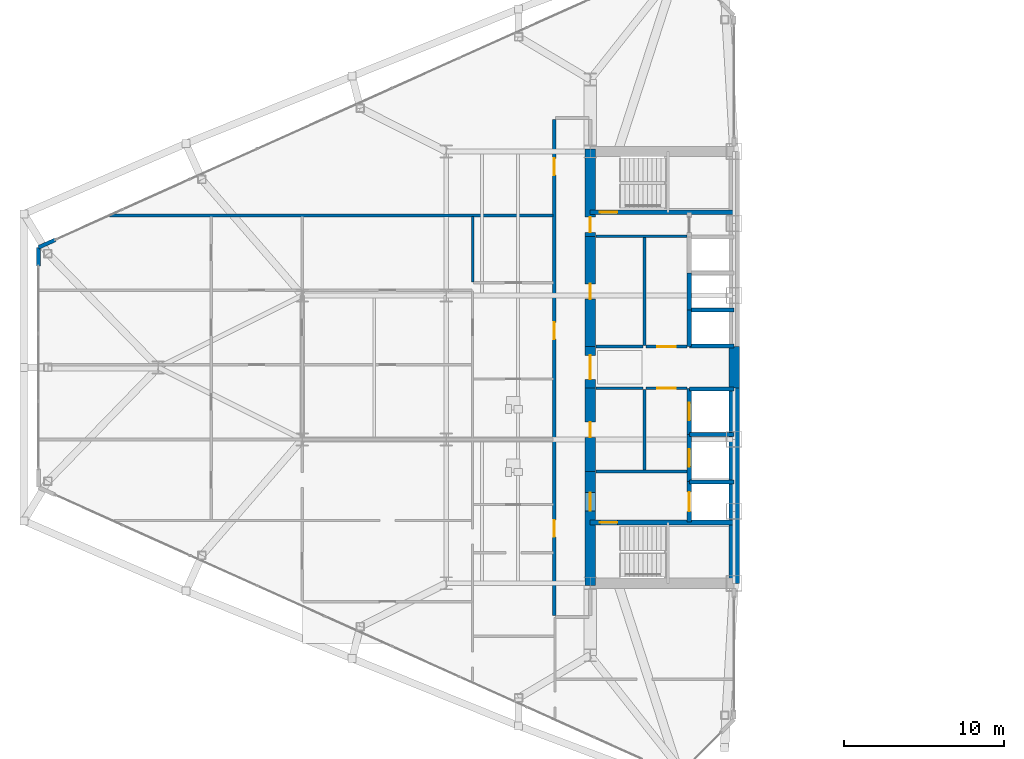
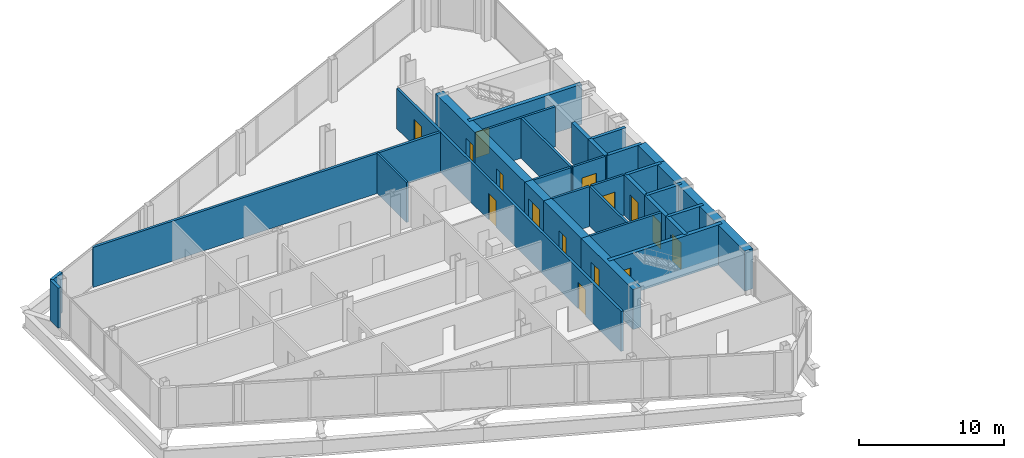
# One storey, part 21 of 29: 32 walls, 15 doors, 15 openings.
"""IFC4 building model written with IfcOpenShell, lengths in metres."""

from ifc_helpers import new_model, si_unit, direction, frame, frame_2d, origin, place, context, subcontext, project, spatial, rectangle, extrude, source, transform, mapped, material, layer, layer_set, type_object, type_shapes, element, fill, save


model = new_model("IFC4")

# Units and contexts
model_context = context("Model", 3, precision=1e-05, world=origin(), true_north=direction((0.0, 1.0)))
body_context = subcontext(model_context, "Body", "Model", "MODEL_VIEW")
ifc_project = project(units=[si_unit("LENGTHUNIT", "METRE"), si_unit("AREAUNIT", "SQUARE_METRE"), si_unit("VOLUMEUNIT", "CUBIC_METRE"), si_unit("PLANEANGLEUNIT", "RADIAN"), si_unit("MASSUNIT", "GRAM", prefix="KILO")], contexts=[model_context])

# Site, building, storey
site_placement = place(None, origin())
site = spatial("IfcSite", under=ifc_project, at=site_placement, CompositionType="ELEMENT")
building_placement = place(site_placement, origin())
building = spatial("IfcBuilding", under=site, at=building_placement, Name="Seokmaru Belvedere", CompositionType="ELEMENT")
storey_placement = place(building_placement, frame((0.0, 0.0, 62.10009765625)))
storey = spatial("IfcBuildingStorey", under=building, at=storey_placement, Name="L16", CompositionType="ELEMENT", Elevation=62.10009765625)

# Walls
ifc_material_1 = material(Name="Fire-Rated Gypsum Shaftwall")
ifc_layer_1 = layer(ifc_material_1, 0.14990234375)
ifc_layer_set_1 = layer_set([ifc_layer_1], Name="Fire-Rated Gypsum Shaftwall")
wall_type_1 = type_object("IfcWallType", Name="Apartment Fire-Acoustic Room Partition 150", PredefinedType="PARTITIONING", material=ifc_layer_set_1)
wall_1_placement = place(storey_placement, frame((-43.85009765625, 5.35205078125, 0.0), z_axis=(0.0, 0.0, 1.0), x_axis=(0.0, 1.0, 0.0)))
element("IfcWall", 1, at=wall_1_placement, inside=storey, type_object=wall_type_1, Name="L16 Interior Partition 035", PredefinedType="PARTITIONING", context=body_context, shape_type="SweptSolid", body=[
    extrude(rectangle(XDim=4.097900390625, YDim=0.14990234375, at=frame_2d((2.048828125, 0.0))), origin(), (0.0, 0.0, 1.0), 3.3798828125),
])
ifc_layer_2 = layer(ifc_material_1, 0.179931640625)
ifc_layer_set_2 = layer_set([ifc_layer_2], Name="Fire-Rated Gypsum Shaftwall")
wall_type_2 = type_object("IfcWallType", Name="Core Service Fire Partition 180", PredefinedType="PARTITIONING", material=ifc_layer_set_2)
for number, where, z_axis, x_axis, name in (
    (2, (-36.14990234375, -6.5, 0.0), (0.0, 0.0, 1.0), (1.0, 0.0, 0.0), "L16 West Firefighting Lobby Partition"),
    (3, (-36.14990234375, 8.199951171875, 0.0), (0.0, 0.0, 1.0), (1.0, 0.0, 0.0), "L16 West Smokeproof Vestibule Partition"),
):
    element("IfcWall", number, at=place(storey_placement, frame(where, z_axis=z_axis, x_axis=x_axis)), inside=storey, type_object=wall_type_2, Name=name, PredefinedType="PARTITIONING", context=body_context, shape_type="SweptSolid", body=[
        extrude(rectangle(XDim=5.699951171875, YDim=0.179931640625, at=frame_2d((2.85009765625, 0.0))), origin(), (0.0, 0.0, 1.0), 3.3798828125),
    ])
wall_2_placement = place(storey_placement, frame((-33.10009765625, -6.419921875, 0.0), z_axis=(0.0, 0.0, 1.0), x_axis=(0.0, 1.0, 0.0)))
element("IfcWall", 4, at=wall_2_placement, inside=storey, type_object=wall_type_2, Name="L16 West South Core Service Back Wall", PredefinedType="PARTITIONING", context=body_context, shape_type="SweptSolid", body=[
    extrude(rectangle(XDim=5.0400390625, YDim=0.179931640625, at=frame_2d((2.52001953125, 0.0))), origin(), (0.0, 0.0, 1.0), 3.3798828125),
])
wall_3_placement = place(storey_placement, frame((-33.10009765625, 1.3798828125, 0.0), z_axis=(0.0, 0.0, 1.0), x_axis=(0.0, 1.0, 0.0)))
element("IfcWall", 5, at=wall_3_placement, inside=storey, type_object=wall_type_2, Name="L16 West North Core Service Back Wall", PredefinedType="PARTITIONING", context=body_context, shape_type="SweptSolid", body=[
    extrude(rectangle(XDim=6.740234375, YDim=0.179931640625, at=frame_2d((3.3701171875, 0.0))), origin(), (0.0, 0.0, 1.0), 3.3798828125),
])

# Wall, opening, door
wall_4_placement = place(storey_placement, frame((-33.02001953125, -1.300048828125, 0.0), z_axis=(0.0, 0.0, 1.0), x_axis=(1.0, 0.0, 0.0)))
wall_4 = element("IfcWall", 6, at=wall_4_placement, inside=storey, type_object=wall_type_2, Name="L16 West South Lift Lobby Foyer Wall", PredefinedType="PARTITIONING", context=body_context, shape_type="SweptSolid", body=[
    extrude(rectangle(XDim=2.570068359375, YDim=0.179931640625, at=frame_2d((1.28515625, 0.0))), origin(), (0.0, 0.0, 1.0), 3.3798828125),
])
opening_1_placement = place(wall_4_placement, frame((0.7099609375, 0.0, 0.0)))
opening_1 = element("IfcOpeningElement", 7, at=opening_1_placement, cuts=wall_4, Name="Opening D02", PredefinedType="OPENING", context=body_context, shape_type="SweptSolid", body=[
    extrude(rectangle(XDim=1.14990234375, YDim=2.199951171875, at=frame_2d((0.574951171875, 1.10009765625))), frame((0.0, 0.10009765625, 0.0), z_axis=(0.0, -1.0, 0.0), x_axis=(1.0, 0.0, 0.0)), (0.0, 0.0, 1.0), 0.199951171875),
])
ifc_material_2 = material(Name="Fire-Rated Steel Leaf", Category="steel")
door_type_1 = type_object("IfcDoorType", Name="Lobby and Vestibule Fire Door 1150x2200", OperationType="NOTDEFINED", PredefinedType="DOOR", material=ifc_material_2)
shared_shape_1 = source(origin(), body_context, "Body", "SweptSolid", [
    extrude(rectangle(XDim=1.14990234375, YDim=2.199951171875, at=frame_2d((0.574951171875, 1.10009765625))), frame((0.0, 0.02490234375, 0.0), z_axis=(0.0, -1.0, 0.0), x_axis=(1.0, 0.0, 0.0)), (0.0, 0.0, 1.0), 0.050048828125),
])
type_shapes(door_type_1, [shared_shape_1])
door_1_placement = place(opening_1_placement, origin())
door_1 = element("IfcDoor", 8, at=door_1_placement, inside=storey, type_object=door_type_1, Name="L16 West South Core Foyer Door", OperationType="SINGLE_SWING_LEFT", OverallHeight=2.199951171875, OverallWidth=1.14990234375, PredefinedType="DOOR", context=body_context, shape_type="MappedRepresentation", body=[
    mapped(shared_shape_1, transform((0.0, 0.0, 0.0), scale=1.0)),
])
fill(opening_1, door_1)

wall_5_placement = place(storey_placement, frame((-33.02001953125, 1.300048828125, 0.0), z_axis=(0.0, 0.0, 1.0), x_axis=(1.0, 0.0, 0.0)))
wall_5 = element("IfcWall", 9, at=wall_5_placement, inside=storey, type_object=wall_type_2, Name="L16 West North Lift Lobby Foyer Wall", PredefinedType="PARTITIONING", context=body_context, shape_type="SweptSolid", body=[
    extrude(rectangle(XDim=2.570068359375, YDim=0.179931640625, at=frame_2d((1.28515625, 0.0))), origin(), (0.0, 0.0, 1.0), 3.3798828125),
])
opening_2_placement = place(wall_5_placement, frame((0.7099609375, 0.0, 0.0)))
opening_2 = element("IfcOpeningElement", 10, at=opening_2_placement, cuts=wall_5, Name="Opening D02", PredefinedType="OPENING", context=body_context, shape_type="SweptSolid", body=[
    extrude(rectangle(XDim=1.14990234375, YDim=2.199951171875, at=frame_2d((0.574951171875, 1.10009765625))), frame((0.0, 0.10009765625, 0.0), z_axis=(0.0, -1.0, 0.0), x_axis=(1.0, 0.0, 0.0)), (0.0, 0.0, 1.0), 0.199951171875),
])
door_2_placement = place(opening_2_placement, origin())
door_2 = element("IfcDoor", 11, at=door_2_placement, inside=storey, type_object=door_type_1, Name="L16 West North Lift Lobby Door", OperationType="SINGLE_SWING_RIGHT", OverallHeight=2.199951171875, OverallWidth=1.14990234375, PredefinedType="DOOR", context=body_context, shape_type="MappedRepresentation", body=[
    mapped(shared_shape_1, transform((0.0, 0.0, 0.0), scale=1.0)),
])
fill(opening_2, door_2)

# Walls
for number, where, z_axis, x_axis, name in (
    (12, (-36.14990234375, -1.300048828125, 0.0), (0.0, 0.0, 1.0), (1.0, 0.0, 0.0), "L16 West Foyer Side Wall S"),
    (13, (-36.14990234375, 1.300048828125, 0.0), (0.0, 0.0, 1.0), (1.0, 0.0, 0.0), "L16 West Foyer Side Wall N"),
):
    element("IfcWall", number, at=place(storey_placement, frame(where, z_axis=z_axis, x_axis=x_axis)), inside=storey, type_object=wall_type_2, Name=name, PredefinedType="PARTITIONING", context=body_context, shape_type="SweptSolid", body=[
        extrude(rectangle(XDim=2.949951171875, YDim=0.179931640625, at=frame_2d((1.47509765625, 0.0))), origin(), (0.0, 0.0, 1.0), 3.3798828125),
    ])
ifc_material_3 = material(Name="Concrete C50 (50 MPa)", Category="concrete")
ifc_layer_3 = layer(ifc_material_3, 0.25)
ifc_layer_set_3 = layer_set([ifc_layer_3], Name="Concrete C50 (50 MPa)")
wall_type_3 = type_object("IfcWallType", Name="Hoistway Transverse Concrete Divider Wall 250", PredefinedType="SHEAR", material=ifc_layer_set_3)
for number, where, z_axis, x_axis, name in (
    (14, (-30.300048828125, -7.14990234375, 0.0), (0.0, 0.0, 1.0), (1.0, 0.0, 0.0), "L16 West Hoistway Divider Core Wall 1"),
    (15, (-30.300048828125, -4.199951171875, 0.0), (0.0, 0.0, 1.0), (1.0, 0.0, 0.0), "L16 West Hoistway Divider Core Wall 2"),
    (16, (-30.300048828125, -1.35009765625, 0.0), (0.0, 0.0, 1.0), (1.0, 0.0, 0.0), "L16 West Hoistway Divider Core Wall 3"),
    (17, (-30.300048828125, 1.35009765625, 0.0), (0.0, 0.0, 1.0), (1.0, 0.0, 0.0), "L16 West Hoistway Divider Core Wall 4"),
    (18, (-30.300048828125, 3.60009765625, 0.0), (0.0, 0.0, 1.0), (1.0, 0.0, 0.0), "L16 West Hoistway Divider Core Wall 5"),
):
    element("IfcWall", number, at=place(storey_placement, frame(where, z_axis=z_axis, x_axis=x_axis)), inside=storey, type_object=wall_type_3, Name=name, PredefinedType="SHEAR", context=body_context, shape_type="SweptSolid", body=[
        extrude(rectangle(XDim=2.800048828125, YDim=0.25, at=frame_2d((1.39990234375, 0.0))), origin(), (0.0, 0.0, 1.0), 3.3798828125),
    ])
ifc_layer_4 = layer(ifc_material_1, 0.199951171875)
ifc_layer_set_4 = layer_set([ifc_layer_4], Name="Fire-Rated Gypsum Shaftwall")
wall_type_4 = type_object("IfcWallType", Name="Inter-Tenancy Fire Compartment Partition 200", PredefinedType="PARTITIONING", material=ifc_layer_set_4)
wall_6_placement = place(storey_placement, frame((-66.568115234375, 9.5, 0.0), z_axis=(0.0, 0.0, 1.0), x_axis=(1.0, 0.0, 0.0)))
element("IfcWall", 19, at=wall_6_placement, inside=storey, type_object=wall_type_4, Name="L16 Interior Partition 026", PredefinedType="PARTITIONING", context=body_context, shape_type="SweptSolid", body=[
    extrude(rectangle(XDim=27.738037109375, YDim=0.199951171875, at=frame_2d((13.869140625, 0.0))), origin(), (0.0, 0.0, 1.0), 3.3798828125),
])

# Wall, openings, doors
wall_7_placement = place(storey_placement, frame((-38.75, -15.514892578125, 0.0), z_axis=(0.0, 0.0, 1.0), x_axis=(0.0, 1.0, 0.0)))
wall_7 = element("IfcWall", 20, at=wall_7_placement, inside=storey, type_object=wall_type_4, Name="L16 Interior Partition 036", PredefinedType="PARTITIONING", context=body_context, shape_type="SweptSolid", body=[
    extrude(rectangle(XDim=31.02978515625, YDim=0.199951171875, at=frame_2d((15.514892578125, 0.0))), origin(), (0.0, 0.0, 1.0), 3.3798828125),
])
opening_3_placement = place(wall_7_placement, frame((4.91259765625, 0.0, 0.0)))
opening_3 = element("IfcOpeningElement", 21, at=opening_3_placement, cuts=wall_7, Name="Opening D03", PredefinedType="OPENING", context=body_context, shape_type="SweptSolid", body=[
    extrude(rectangle(XDim=1.050048828125, YDim=2.25, at=frame_2d((0.52490234375, 1.125))), frame((0.0, 0.10986328125, 0.0), z_axis=(0.0, -1.0, 0.0), x_axis=(1.0, 0.0, 0.0)), (0.0, 0.0, 1.0), 0.219970703125),
])
opening_4_placement = place(wall_7_placement, frame((17.280029296875, 0.0, 0.0)))
opening_4 = element("IfcOpeningElement", 22, at=opening_4_placement, cuts=wall_7, Name="Opening D03", PredefinedType="OPENING", context=body_context, shape_type="SweptSolid", body=[
    extrude(rectangle(XDim=1.050048828125, YDim=2.25, at=frame_2d((0.52490234375, 1.125))), frame((0.0, 0.10986328125, 0.0), z_axis=(0.0, -1.0, 0.0), x_axis=(1.0, 0.0, 0.0)), (0.0, 0.0, 1.0), 0.219970703125),
])
opening_5_placement = place(wall_7_placement, frame((27.5400390625, 0.0, 0.0)))
opening_5 = element("IfcOpeningElement", 23, at=opening_5_placement, cuts=wall_7, Name="Opening D03", PredefinedType="OPENING", context=body_context, shape_type="SweptSolid", body=[
    extrude(rectangle(XDim=1.050048828125, YDim=2.25, at=frame_2d((0.52490234375, 1.125))), frame((0.0, 0.10986328125, 0.0), z_axis=(0.0, -1.0, 0.0), x_axis=(1.0, 0.0, 0.0)), (0.0, 0.0, 1.0), 0.219970703125),
])
door_type_2 = type_object("IfcDoorType", Name="Apartment Entrance Fire Door 1050x2250", OperationType="NOTDEFINED", PredefinedType="DOOR", material=ifc_material_2)
shared_shape_2 = source(origin(), body_context, "Body", "SweptSolid", [
    extrude(rectangle(XDim=1.050048828125, YDim=2.25, at=frame_2d((0.52490234375, 1.125))), frame((0.0, 0.02490234375, 0.0), z_axis=(0.0, -1.0, 0.0), x_axis=(1.0, 0.0, 0.0)), (0.0, 0.0, 1.0), 0.050048828125),
])
type_shapes(door_type_2, [shared_shape_2])
door_3_placement = place(opening_3_placement, origin())
door_3 = element("IfcDoor", 24, at=door_3_placement, inside=storey, type_object=door_type_2, Name="L16 Interior Door 001", OperationType="SINGLE_SWING_RIGHT", OverallHeight=2.25, OverallWidth=1.050048828125, PredefinedType="DOOR", context=body_context, shape_type="MappedRepresentation", body=[
    mapped(shared_shape_2, transform((0.0, 0.0, 0.0), scale=1.0)),
])
fill(opening_3, door_3)
door_4_placement = place(opening_4_placement, origin())
door_4 = element("IfcDoor", 25, at=door_4_placement, inside=storey, type_object=door_type_2, Name="L16 Interior Door 013", OperationType="SINGLE_SWING_LEFT", OverallHeight=2.25, OverallWidth=1.050048828125, PredefinedType="DOOR", context=body_context, shape_type="MappedRepresentation", body=[
    mapped(shared_shape_2, transform((0.0, 0.0, 0.0), scale=1.0)),
])
fill(opening_4, door_4)
door_5_placement = place(opening_5_placement, origin())
door_5 = element("IfcDoor", 26, at=door_5_placement, inside=storey, type_object=door_type_2, Name="L16 Interior Door 025", OperationType="SINGLE_SWING_RIGHT", OverallHeight=2.25, OverallWidth=1.050048828125, PredefinedType="DOOR", context=body_context, shape_type="MappedRepresentation", body=[
    mapped(shared_shape_2, transform((0.0, 0.0, 0.0), scale=1.0)),
])
fill(opening_5, door_5)

# Wall, opening, door
ifc_layer_5 = layer(ifc_material_3, 0.300048828125)
ifc_layer_set_5 = layer_set([ifc_layer_5], Name="Concrete C50 (50 MPa)")
wall_type_5 = type_object("IfcWallType", Name="Internal Core Stair and Hoistway Wall 300", PredefinedType="SHEAR", material=ifc_layer_set_5)
wall_8_placement = place(storey_placement, frame((-36.5, -9.699951171875, 0.0), z_axis=(0.0, 0.0, 1.0), x_axis=(1.0, 0.0, 0.0)))
wall_8 = element("IfcWall", 27, at=wall_8_placement, inside=storey, type_object=wall_type_5, Name="L16 West Stair ST-1 Enclosure Wall", PredefinedType="SHEAR", context=body_context, shape_type="SweptSolid", body=[
    extrude(rectangle(XDim=9.0, YDim=0.300048828125, at=frame_2d((4.5, 0.0))), origin(), (0.0, 0.0, 1.0), 3.3798828125),
])
opening_6_placement = place(wall_8_placement, frame((0.60009765625, 0.0, 0.0)))
opening_6 = element("IfcOpeningElement", 28, at=opening_6_placement, cuts=wall_8, Name="Opening D01", PredefinedType="OPENING", context=body_context, shape_type="SweptSolid", body=[
    extrude(rectangle(XDim=1.10009765625, YDim=2.199951171875, at=frame_2d((0.550048828125, 1.10009765625))), frame((0.0, 0.16015625, 0.0), z_axis=(0.0, -1.0, 0.0), x_axis=(1.0, 0.0, 0.0)), (0.0, 0.0, 1.0), 0.320068359375),
])
door_type_3 = type_object("IfcDoorType", Name="Special Escape Stair Smokeproof Fire Door 1100x2200", OperationType="NOTDEFINED", PredefinedType="DOOR", material=ifc_material_2)
shared_shape_3 = source(origin(), body_context, "Body", "SweptSolid", [
    extrude(rectangle(XDim=1.10009765625, YDim=2.199951171875, at=frame_2d((0.550048828125, 1.10009765625))), frame((0.0, 0.02490234375, 0.0), z_axis=(0.0, -1.0, 0.0), x_axis=(1.0, 0.0, 0.0)), (0.0, 0.0, 1.0), 0.050048828125),
])
type_shapes(door_type_3, [shared_shape_3])
door_6_placement = place(opening_6_placement, frame((1.10009765625, 0.0, 0.0), z_axis=(0.0, 0.0, 1.0), x_axis=(-1.0, 0.0, 0.0)))
door_6 = element("IfcDoor", 29, at=door_6_placement, inside=storey, type_object=door_type_3, Name="L16 West Special Escape Stair ST-1 Door", OperationType="SINGLE_SWING_LEFT", OverallHeight=2.199951171875, OverallWidth=1.10009765625, PredefinedType="DOOR", context=body_context, shape_type="MappedRepresentation", body=[
    mapped(shared_shape_3, transform((0.0, 0.0, 0.0), scale=1.0)),
])
fill(opening_6, door_6)

wall_9_placement = place(storey_placement, frame((-36.5, 9.699951171875, 0.0), z_axis=(0.0, 0.0, 1.0), x_axis=(1.0, 0.0, 0.0)))
wall_9 = element("IfcWall", 30, at=wall_9_placement, inside=storey, type_object=wall_type_5, Name="L16 West Stair ST-2 Enclosure Wall", PredefinedType="SHEAR", context=body_context, shape_type="SweptSolid", body=[
    extrude(rectangle(XDim=9.0, YDim=0.300048828125, at=frame_2d((4.5, 0.0))), origin(), (0.0, 0.0, 1.0), 3.3798828125),
])
opening_7_placement = place(wall_9_placement, frame((0.60009765625, 0.0, 0.0)))
opening_7 = element("IfcOpeningElement", 31, at=opening_7_placement, cuts=wall_9, Name="Opening D01", PredefinedType="OPENING", context=body_context, shape_type="SweptSolid", body=[
    extrude(rectangle(XDim=1.10009765625, YDim=2.199951171875, at=frame_2d((0.550048828125, 1.10009765625))), frame((0.0, 0.16015625, 0.0), z_axis=(0.0, -1.0, 0.0), x_axis=(1.0, 0.0, 0.0)), (0.0, 0.0, 1.0), 0.320068359375),
])
door_7_placement = place(opening_7_placement, origin())
door_7 = element("IfcDoor", 32, at=door_7_placement, inside=storey, type_object=door_type_3, Name="L16 West Special Escape Stair ST-2 Door", OperationType="SINGLE_SWING_RIGHT", OverallHeight=2.199951171875, OverallWidth=1.10009765625, PredefinedType="DOOR", context=body_context, shape_type="MappedRepresentation", body=[
    mapped(shared_shape_3, transform((0.0, 0.0, 0.0), scale=1.0)),
])
fill(opening_7, door_7)

wall_10_placement = place(storey_placement, frame((-30.300048828125, -9.679931640625, 0.0), z_axis=(0.0, 0.0, 1.0), x_axis=(0.0, 1.0, 0.0)))
wall_10 = element("IfcWall", 33, at=wall_10_placement, inside=storey, type_object=wall_type_5, Name="L16 West Firefighting Lift Shaft Front Wall", PredefinedType="SHEAR", context=body_context, shape_type="SweptSolid", body=[
    extrude(rectangle(XDim=2.559814453125, YDim=0.300048828125, at=frame_2d((1.27978515625, 0.0))), origin(), (0.0, 0.0, 1.0), 3.3798828125),
])
opening_8_placement = place(wall_10_placement, frame((0.679931640625, 0.0, 0.0)))
opening_8 = element("IfcOpeningElement", 34, at=opening_8_placement, cuts=wall_10, Name="Opening LD2", PredefinedType="OPENING", context=body_context, shape_type="SweptSolid", body=[
    extrude(rectangle(XDim=1.199951171875, YDim=2.25, at=frame_2d((0.60009765625, 1.125))), frame((0.0, 0.16015625, 0.0), z_axis=(0.0, -1.0, 0.0), x_axis=(1.0, 0.0, 0.0)), (0.0, 0.0, 1.0), 0.320068359375),
])
ifc_material_4 = material(Name="Stainless Steel 316", Category="steel")
door_type_4 = type_object("IfcDoorType", Name="Firefighting Lift Sliding Landing Door 1200x2250", OperationType="DOUBLE_DOOR_SLIDING", PredefinedType="DOOR", material=ifc_material_4)
shared_shape_4 = source(origin(), body_context, "Body", "SweptSolid", [
    extrude(rectangle(XDim=1.199951171875, YDim=2.25, at=frame_2d((0.60009765625, 1.125))), frame((0.0, 0.02490234375, 0.0), z_axis=(0.0, -1.0, 0.0), x_axis=(1.0, 0.0, 0.0)), (0.0, 0.0, 1.0), 0.050048828125),
])
type_shapes(door_type_4, [shared_shape_4])
door_8_placement = place(opening_8_placement, origin())
door_8 = element("IfcDoor", 35, at=door_8_placement, inside=storey, type_object=door_type_4, Name="L16 West Firefighting Lift Landing Door", OperationType="DOUBLE_DOOR_SLIDING", OverallHeight=2.25, OverallWidth=1.199951171875, PredefinedType="DOOR", context=body_context, shape_type="MappedRepresentation", body=[
    mapped(shared_shape_4, transform((0.0, 0.0, 0.0), scale=1.0)),
])
fill(opening_8, door_8)

wall_11_placement = place(storey_placement, frame((-30.300048828125, -7.1201171875, 0.0), z_axis=(0.0, 0.0, 1.0), x_axis=(0.0, 1.0, 0.0)))
wall_11 = element("IfcWall", 36, at=wall_11_placement, inside=storey, type_object=wall_type_5, Name="L16 West Low-Rise Lift PL-1 Front Wall", PredefinedType="SHEAR", context=body_context, shape_type="SweptSolid", body=[
    extrude(rectangle(XDim=2.920166015625, YDim=0.300048828125, at=frame_2d((1.4599609375, 0.0))), origin(), (0.0, 0.0, 1.0), 3.3798828125),
])
opening_9_placement = place(wall_11_placement, frame((0.909912109375, 0.0, 0.0)))
opening_9 = element("IfcOpeningElement", 37, at=opening_9_placement, cuts=wall_11, Name="Opening LD1", PredefinedType="OPENING", context=body_context, shape_type="SweptSolid", body=[
    extrude(rectangle(XDim=1.10009765625, YDim=2.199951171875, at=frame_2d((0.550048828125, 1.10009765625))), frame((0.0, 0.16015625, 0.0), z_axis=(0.0, -1.0, 0.0), x_axis=(1.0, 0.0, 0.0)), (0.0, 0.0, 1.0), 0.320068359375),
])
door_type_5 = type_object("IfcDoorType", Name="Passenger Lift Sliding Landing Door 1100x2200", OperationType="DOUBLE_DOOR_SLIDING", PredefinedType="DOOR", material=ifc_material_4)
shared_shape_5 = source(origin(), body_context, "Body", "SweptSolid", [
    extrude(rectangle(XDim=1.10009765625, YDim=2.199951171875, at=frame_2d((0.550048828125, 1.10009765625))), frame((0.0, 0.02490234375, 0.0), z_axis=(0.0, -1.0, 0.0), x_axis=(1.0, 0.0, 0.0)), (0.0, 0.0, 1.0), 0.050048828125),
])
type_shapes(door_type_5, [shared_shape_5])
door_9_placement = place(opening_9_placement, origin())
door_9 = element("IfcDoor", 38, at=door_9_placement, inside=storey, type_object=door_type_5, Name="L16 West Low-Rise Lift PL-1 Landing Door", OperationType="DOUBLE_DOOR_SLIDING", OverallHeight=2.199951171875, OverallWidth=1.10009765625, PredefinedType="DOOR", context=body_context, shape_type="MappedRepresentation", body=[
    mapped(shared_shape_5, transform((0.0, 0.0, 0.0), scale=1.0)),
])
fill(opening_9, door_9)

wall_12_placement = place(storey_placement, frame((-30.300048828125, -4.199951171875, 0.0), z_axis=(0.0, 0.0, 1.0), x_axis=(0.0, 1.0, 0.0)))
wall_12 = element("IfcWall", 39, at=wall_12_placement, inside=storey, type_object=wall_type_5, Name="L16 West Low-Rise Lift PL-2 Front Wall", PredefinedType="SHEAR", context=body_context, shape_type="SweptSolid", body=[
    extrude(rectangle(XDim=2.8798828125, YDim=0.300048828125, at=frame_2d((1.43994140625, 0.0))), origin(), (0.0, 0.0, 1.0), 3.3798828125),
])
opening_10_placement = place(wall_12_placement, frame((0.889892578125, 0.0, 0.0)))
opening_10 = element("IfcOpeningElement", 40, at=opening_10_placement, cuts=wall_12, Name="Opening LD1", PredefinedType="OPENING", context=body_context, shape_type="SweptSolid", body=[
    extrude(rectangle(XDim=1.10009765625, YDim=2.199951171875, at=frame_2d((0.550048828125, 1.10009765625))), frame((0.0, 0.16015625, 0.0), z_axis=(0.0, -1.0, 0.0), x_axis=(1.0, 0.0, 0.0)), (0.0, 0.0, 1.0), 0.320068359375),
])
door_10_placement = place(opening_10_placement, origin())
door_10 = element("IfcDoor", 41, at=door_10_placement, inside=storey, type_object=door_type_5, Name="L16 West Low-Rise Lift PL-2 Landing Door", OperationType="DOUBLE_DOOR_SLIDING", OverallHeight=2.199951171875, OverallWidth=1.10009765625, PredefinedType="DOOR", context=body_context, shape_type="MappedRepresentation", body=[
    mapped(shared_shape_5, transform((0.0, 0.0, 0.0), scale=1.0)),
])
fill(opening_10, door_10)

# Walls
wall_13_placement = place(storey_placement, frame((-30.300048828125, 1.320068359375, 0.0), z_axis=(0.0, 0.0, 1.0), x_axis=(0.0, 1.0, 0.0)))
element("IfcWall", 42, at=wall_13_placement, inside=storey, type_object=wall_type_5, Name="L16 West North Hoistway Wall PH1", PredefinedType="SHEAR", context=body_context, shape_type="SweptSolid", body=[
    extrude(rectangle(XDim=2.280029296875, YDim=0.300048828125, at=frame_2d((1.14013671875, 0.0))), origin(), (0.0, 0.0, 1.0), 3.3798828125),
])
wall_14_placement = place(storey_placement, frame((-30.300048828125, 3.60009765625, 0.0), z_axis=(0.0, 0.0, 1.0), x_axis=(0.0, 1.0, 0.0)))
element("IfcWall", 43, at=wall_14_placement, inside=storey, type_object=wall_type_5, Name="L16 West North Hoistway Wall PH2", PredefinedType="SHEAR", context=body_context, shape_type="SweptSolid", body=[
    extrude(rectangle(XDim=2.2998046875, YDim=0.300048828125, at=frame_2d((1.14990234375, 0.0))), origin(), (0.0, 0.0, 1.0), 3.3798828125),
])
ifc_material_5 = material(Name="Concrete C60 (60 MPa)", Category="concrete")
ifc_layer_6 = layer(ifc_material_5, 0.64990234375)
ifc_layer_set_6 = layer_set([ifc_layer_6], Name="Concrete C60 (60 MPa)")
wall_type_6 = type_object("IfcWallType", Name="Mid-Low Reinforced Concrete Core Wall 650", PredefinedType="SHEAR", material=ifc_layer_set_6)
wall_15_placement = place(storey_placement, frame((-27.5, -13.5, 0.0), z_axis=(0.0, 0.0, 1.0), x_axis=(0.0, 1.0, 0.0)))
element("IfcWall", 44, at=wall_15_placement, inside=storey, type_object=wall_type_6, Name="L16 West Portal Spine Core Wall South", PredefinedType="SHEAR", context=body_context, shape_type="SweptSolid", body=[
    extrude(rectangle(XDim=12.199951171875, YDim=0.64990234375, at=frame_2d((6.10009765625, 0.0))), origin(), (0.0, 0.0, 1.0), 3.3798828125),
])
wall_16_placement = place(storey_placement, frame((-27.5, -1.300048828125, 0.0), z_axis=(0.0, 0.0, 1.0), x_axis=(0.0, 1.0, 0.0)))
element("IfcWall", 45, at=wall_16_placement, inside=storey, type_object=wall_type_6, Name="L16 West Portal Spine Core Wall Center", PredefinedType="SHEAR", context=body_context, shape_type="SweptSolid", body=[
    extrude(rectangle(XDim=2.60009765625, YDim=0.64990234375, at=frame_2d((1.300048828125, 0.0))), origin(), (0.0, 0.0, 1.0), 3.3798828125),
])

# Wall, opening, door
wall_17_placement = place(storey_placement, frame((-36.5, -13.64990234375, 0.0), z_axis=(0.0, 0.0, 1.0), x_axis=(0.0, 1.0, 0.0)))
wall_17 = element("IfcWall", 46, at=wall_17_placement, inside=storey, type_object=wall_type_6, Name="L16 West West Core Wall FF", PredefinedType="SHEAR", context=body_context, shape_type="SweptSolid", body=[
    extrude(rectangle(XDim=7.14990234375, YDim=0.64990234375, at=frame_2d((3.574951171875, 0.0))), origin(), (0.0, 0.0, 1.0), 3.3798828125),
])
opening_11_placement = place(wall_17_placement, frame((4.675048828125, 0.0, 0.0)))
opening_11 = element("IfcOpeningElement", 47, at=opening_11_placement, cuts=wall_17, Name="Opening D02", PredefinedType="OPENING", context=body_context, shape_type="SweptSolid", body=[
    extrude(rectangle(XDim=1.14990234375, YDim=2.199951171875, at=frame_2d((0.574951171875, 1.10009765625))), frame((0.0, 0.3349609375, 0.0), z_axis=(0.0, -1.0, 0.0), x_axis=(1.0, 0.0, 0.0)), (0.0, 0.0, 1.0), 0.669921875),
])
door_11_placement = place(opening_11_placement, frame((1.14990234375, 0.0, 0.0), z_axis=(0.0, 0.0, 1.0), x_axis=(-1.0, 0.0, 0.0)))
door_11 = element("IfcDoor", 48, at=door_11_placement, inside=storey, type_object=door_type_1, Name="L16 West Firefighting Lobby Door", OperationType="SINGLE_SWING_LEFT", OverallHeight=2.199951171875, OverallWidth=1.14990234375, PredefinedType="DOOR", context=body_context, shape_type="MappedRepresentation", body=[
    mapped(shared_shape_1, transform((0.0, 0.0, 0.0), scale=1.0)),
])
fill(opening_11, door_11)

wall_18_placement = place(storey_placement, frame((-36.5, -1.300048828125, 0.0), z_axis=(0.0, 0.0, 1.0), x_axis=(0.0, 1.0, 0.0)))
wall_18 = element("IfcWall", 49, at=wall_18_placement, inside=storey, type_object=wall_type_6, Name="L16 West West Core Wall FOY", PredefinedType="SHEAR", context=body_context, shape_type="SweptSolid", body=[
    extrude(rectangle(XDim=2.60009765625, YDim=0.64990234375, at=frame_2d((1.300048828125, 0.0))), origin(), (0.0, 0.0, 1.0), 3.3798828125),
])
opening_12_placement = place(wall_18_placement, frame((0.550048828125, 0.0, 0.0)))
opening_12 = element("IfcOpeningElement", 50, at=opening_12_placement, cuts=wall_18, Name="Opening D08", PredefinedType="OPENING", context=body_context, shape_type="SweptSolid", body=[
    extrude(rectangle(XDim=1.5, YDim=2.300048828125, at=frame_2d((0.75, 1.14990234375))), frame((0.0, 0.3349609375, 0.0), z_axis=(0.0, -1.0, 0.0), x_axis=(1.0, 0.0, 0.0)), (0.0, 0.0, 1.0), 0.669921875),
])
door_type_6 = type_object("IfcDoorType", Name="Cross-Corridor Compartment Double Fire Door 1500x2300", OperationType="DOUBLE_SWING_LEFT", PredefinedType="DOOR", material=ifc_material_2)
shared_shape_6 = source(origin(), body_context, "Body", "SweptSolid", [
    extrude(rectangle(XDim=1.5, YDim=2.300048828125, at=frame_2d((0.75, 1.14990234375))), frame((0.0, 0.02490234375, 0.0), z_axis=(0.0, -1.0, 0.0), x_axis=(1.0, 0.0, 0.0)), (0.0, 0.0, 1.0), 0.050048828125),
])
type_shapes(door_type_6, [shared_shape_6])
door_12_placement = place(opening_12_placement, origin())
door_12 = element("IfcDoor", 51, at=door_12_placement, inside=storey, type_object=door_type_6, Name="L16 West Core Foyer Compartment Door", OperationType="DOUBLE_SWING_LEFT", OverallHeight=2.300048828125, OverallWidth=1.5, PredefinedType="DOOR", context=body_context, shape_type="MappedRepresentation", body=[
    mapped(shared_shape_6, transform((0.0, 0.0, 0.0), scale=1.0)),
])
fill(opening_12, door_12)

wall_19_placement = place(storey_placement, frame((-36.5, 8.199951171875, 0.0), z_axis=(0.0, 0.0, 1.0), x_axis=(0.0, 1.0, 0.0)))
wall_19 = element("IfcWall", 52, at=wall_19_placement, inside=storey, type_object=wall_type_6, Name="L16 West West Core Wall VST", PredefinedType="SHEAR", context=body_context, shape_type="SweptSolid", body=[
    extrude(rectangle(XDim=5.449951171875, YDim=0.64990234375, at=frame_2d((2.72509765625, 0.0))), origin(), (0.0, 0.0, 1.0), 3.3798828125),
])
opening_13_placement = place(wall_19_placement, frame((0.2451171875, 0.0, 0.0)))
opening_13 = element("IfcOpeningElement", 53, at=opening_13_placement, cuts=wall_19, Name="Opening D04", PredefinedType="OPENING", context=body_context, shape_type="SweptSolid", body=[
    extrude(rectangle(XDim=0.949951171875, YDim=2.14990234375, at=frame_2d((0.47509765625, 1.074951171875))), frame((0.0, 0.3349609375, 0.0), z_axis=(0.0, -1.0, 0.0), x_axis=(1.0, 0.0, 0.0)), (0.0, 0.0, 1.0), 0.669921875),
])
door_type_7 = type_object("IfcDoorType", Name="Core Service Room Fire Door 950x2150", OperationType="NOTDEFINED", PredefinedType="DOOR", material=ifc_material_2)
shared_shape_7 = source(origin(), body_context, "Body", "SweptSolid", [
    extrude(rectangle(XDim=0.949951171875, YDim=2.14990234375, at=frame_2d((0.47509765625, 1.074951171875))), frame((0.0, 0.02490234375, 0.0), z_axis=(0.0, -1.0, 0.0), x_axis=(1.0, 0.0, 0.0)), (0.0, 0.0, 1.0), 0.050048828125),
])
type_shapes(door_type_7, [shared_shape_7])
door_13_placement = place(opening_13_placement, frame((0.949951171875, 0.0, 0.0), z_axis=(0.0, 0.0, 1.0), x_axis=(-1.0, 0.0, 0.0)))
door_13 = element("IfcDoor", 54, at=door_13_placement, inside=storey, type_object=door_type_7, Name="L16 West Smokeproof Vestibule Door", OperationType="SINGLE_SWING_RIGHT", OverallHeight=2.14990234375, OverallWidth=0.949951171875, PredefinedType="DOOR", context=body_context, shape_type="MappedRepresentation", body=[
    mapped(shared_shape_7, transform((0.0, 0.0, 0.0), scale=1.0)),
])
fill(opening_13, door_13)

wall_20_placement = place(storey_placement, frame((-36.5, -6.5, 0.0), z_axis=(0.0, 0.0, 1.0), x_axis=(0.0, 1.0, 0.0)))
wall_20 = element("IfcWall", 55, at=wall_20_placement, inside=storey, type_object=wall_type_6, Name="L16 West West Core Wall CS1", PredefinedType="SHEAR", context=body_context, shape_type="SweptSolid", body=[
    extrude(rectangle(XDim=5.199951171875, YDim=0.64990234375, at=frame_2d((2.60009765625, 0.0))), origin(), (0.0, 0.0, 1.0), 3.3798828125),
])
opening_14_placement = place(wall_20_placement, frame((2.125, 0.0, 0.0)))
opening_14 = element("IfcOpeningElement", 56, at=opening_14_placement, cuts=wall_20, Name="Opening D04", PredefinedType="OPENING", context=body_context, shape_type="SweptSolid", body=[
    extrude(rectangle(XDim=0.949951171875, YDim=2.14990234375, at=frame_2d((0.47509765625, 1.074951171875))), frame((0.0, 0.3349609375, 0.0), z_axis=(0.0, -1.0, 0.0), x_axis=(1.0, 0.0, 0.0)), (0.0, 0.0, 1.0), 0.669921875),
])
door_14_placement = place(opening_14_placement, origin())
door_14 = element("IfcDoor", 57, at=door_14_placement, inside=storey, type_object=door_type_7, Name="L16 West Core Service Room Door 1", OperationType="SINGLE_SWING_LEFT", OverallHeight=2.14990234375, OverallWidth=0.949951171875, PredefinedType="DOOR", context=body_context, shape_type="MappedRepresentation", body=[
    mapped(shared_shape_7, transform((0.0, 0.0, 0.0), scale=1.0)),
])
fill(opening_14, door_14)

wall_21_placement = place(storey_placement, frame((-36.5, 1.300048828125, 0.0), z_axis=(0.0, 0.0, 1.0), x_axis=(0.0, 1.0, 0.0)))
wall_21 = element("IfcWall", 58, at=wall_21_placement, inside=storey, type_object=wall_type_6, Name="L16 West West Core Wall CS2", PredefinedType="SHEAR", context=body_context, shape_type="SweptSolid", body=[
    extrude(rectangle(XDim=6.89990234375, YDim=0.64990234375, at=frame_2d((3.449951171875, 0.0))), origin(), (0.0, 0.0, 1.0), 3.3798828125),
])
opening_15_placement = place(wall_21_placement, frame((2.97509765625, 0.0, 0.0)))
opening_15 = element("IfcOpeningElement", 59, at=opening_15_placement, cuts=wall_21, Name="Opening D04", PredefinedType="OPENING", context=body_context, shape_type="SweptSolid", body=[
    extrude(rectangle(XDim=0.949951171875, YDim=2.14990234375, at=frame_2d((0.47509765625, 1.074951171875))), frame((0.0, 0.3349609375, 0.0), z_axis=(0.0, -1.0, 0.0), x_axis=(1.0, 0.0, 0.0)), (0.0, 0.0, 1.0), 0.669921875),
])
door_15_placement = place(opening_15_placement, origin())
door_15 = element("IfcDoor", 60, at=door_15_placement, inside=storey, type_object=door_type_7, Name="L16 West Core Service Room Door 2", OperationType="SINGLE_SWING_RIGHT", OverallHeight=2.14990234375, OverallWidth=0.949951171875, PredefinedType="DOOR", context=body_context, shape_type="MappedRepresentation", body=[
    mapped(shared_shape_7, transform((0.0, 0.0, 0.0), scale=1.0)),
])
fill(opening_15, door_15)

# Walls
ifc_material_6 = material(Name="Anodised Bronze Aluminium", Category="aluminium")
ifc_layer_7 = layer(ifc_material_6, 0.239990234375)
ifc_layer_set_7 = layer_set([ifc_layer_7], Name="Anodised Bronze Aluminium")
wall_type_7 = type_object("IfcWallType", Name="Tower Corner Spandrel Closure Wall 240", PredefinedType="SOLIDWALL", material=ifc_layer_set_7)
for number, where, z_axis, x_axis, name in (
    (61, (-69.951416015625, 7.971923828125, 0.0), (0.0, 0.0, 1.0), (-0.911929519623, -0.410346866979, 0.0), "L16 W Corner Closure Pier 3B"),
    (62, (-71.0, 7.489990234375, 0.0), (0.0, 0.0, 1.0), (0.0, -1.0, 0.0), "L16 W Corner Closure Pier 4A"),
):
    element("IfcWall", number, at=place(storey_placement, frame(where, z_axis=z_axis, x_axis=x_axis)), inside=storey, type_object=wall_type_7, Name=name, PredefinedType="SOLIDWALL", context=body_context, shape_type="SweptSolid", body=[
        extrude(rectangle(XDim=1.139892578125, YDim=0.239990234375, at=frame_2d((0.56982421875, 0.0))), origin(), (0.0, 0.0, 1.0), 3.3798828125),
    ])

save(model, "model.ifc")
